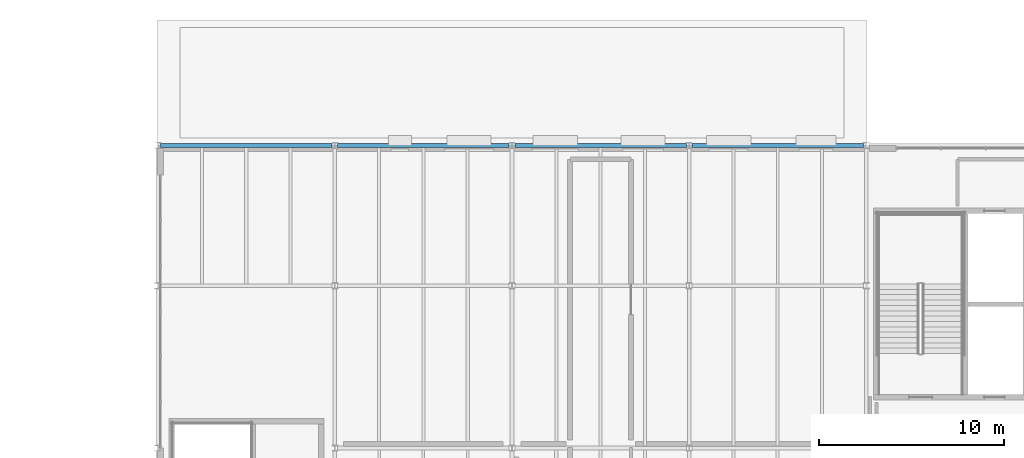
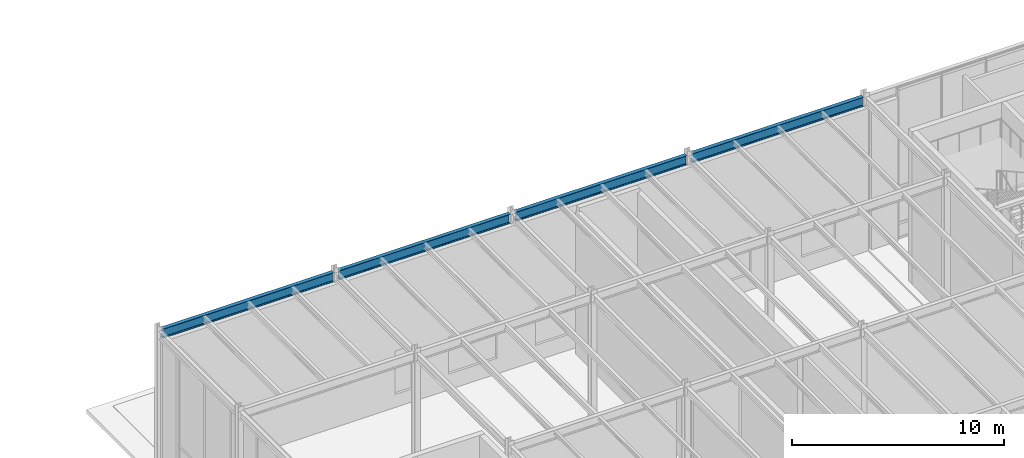
# One storey, part 18 of 48: 4 beams.
"""IFC4 building model written with IfcOpenShell, lengths in metres."""

from ifc_helpers import new_model, si_unit, direction, frame, origin, origin_2d, place, context, subcontext, project, spatial, i_section, extrude, material, material_profile, profile_set, type_object, element, save


model = new_model("IFC4")

# Units and contexts
model_context = context("Model", 3, precision=1e-05, world=origin(), true_north=direction((0.0, 1.0)))
body_context = subcontext(model_context, "Body", "Model", "MODEL_VIEW")
ifc_project = project(units=[si_unit("LENGTHUNIT", "METRE"), si_unit("AREAUNIT", "SQUARE_METRE"), si_unit("VOLUMEUNIT", "CUBIC_METRE"), si_unit("PLANEANGLEUNIT", "RADIAN"), si_unit("MASSUNIT", "GRAM", prefix="KILO")], contexts=[model_context])

# Site, building, storey
site_placement = place(None, origin())
site = spatial("IfcSite", under=ifc_project, at=site_placement, CompositionType="ELEMENT")
building_placement = place(site_placement, origin())
building = spatial("IfcBuilding", under=site, at=building_placement, Name="Sarnbrook Museum", CompositionType="ELEMENT")
storey_placement = place(building_placement, frame((0.0, 0.0, 19.10009765625)))
storey = spatial("IfcBuildingStorey", under=building, at=storey_placement, Name="L04", CompositionType="ELEMENT", Elevation=19.10009765625)

# Beams
ifc_material = material(Name="Structural Steel Grade 300PLUS (AS/NZS 3679.1, fy = 280 MPa for 17 < t <= 40 mm, 300 MPa for t <= 17 mm)", Category="steel")
ifc_material_profile = material_profile(ifc_material, i_section(OverallWidth=0.208984375, OverallDepth=0.532958984375, WebThickness=0.01025390625, FlangeThickness=0.015625, FilletRadius=0.013916015625, at=origin_2d()), Name="530UB92.4")
ifc_profile_set = profile_set([ifc_material_profile], Name="Structural Steel Grade 300PLUS (AS/NZS 3679.1, fy = 280 MPa for 17 < t <= 40 mm, 300 MPa for t <= 17 mm)")
beam_type = type_object("IfcBeamType", Name="BM-UB530", PredefinedType="BEAM", material=ifc_profile_set)
for number, where, z_axis, x_axis, name in (
    (1, (42.553466796875, 108.39990234375, 8.4833984375), (1.0, 0.0, 0.0), (0.0, 1.0, 0.0), "Girder N:5-6 L04"),
    (2, (52.153564453125, 108.39990234375, 8.4833984375), (1.0, 0.0, 0.0), (0.0, 1.0, 0.0), "Girder N:6-7 L04"),
    (3, (61.75341796875, 108.39990234375, 8.4833984375), (1.0, 0.0, 0.0), (0.0, 1.0, 0.0), "Girder N:7-8 L04"),
    (4, (71.353515625, 108.39990234375, 8.4833984375), (1.0, 0.0, 0.0), (0.0, 1.0, 0.0), "Girder N:8-9 L04"),
):
    element("IfcBeam", number, at=place(storey_placement, frame(where, z_axis=z_axis, x_axis=x_axis)), inside=storey, type_object=beam_type, Name=name, PredefinedType="BEAM", context=body_context, shape_type="SweptSolid", body=[
        extrude(i_section(OverallWidth=0.208984375, OverallDepth=0.532958984375, WebThickness=0.01025390625, FlangeThickness=0.015625, FilletRadius=0.013916015625, at=origin_2d()), origin(), (0.0, 0.0, 1.0), 9.29296875),
    ])

save(model, "model.ifc")
